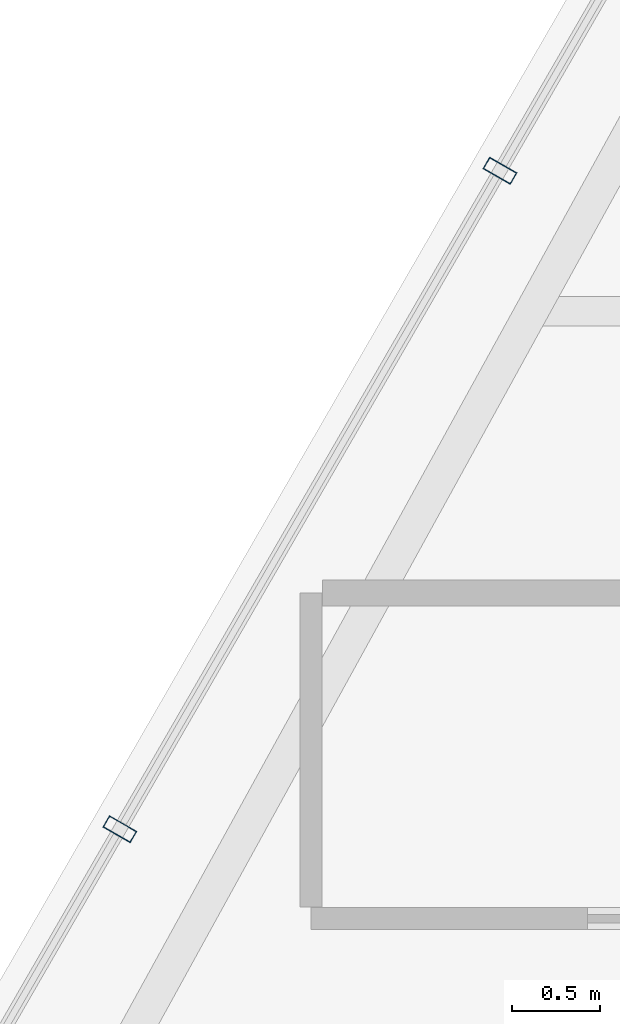
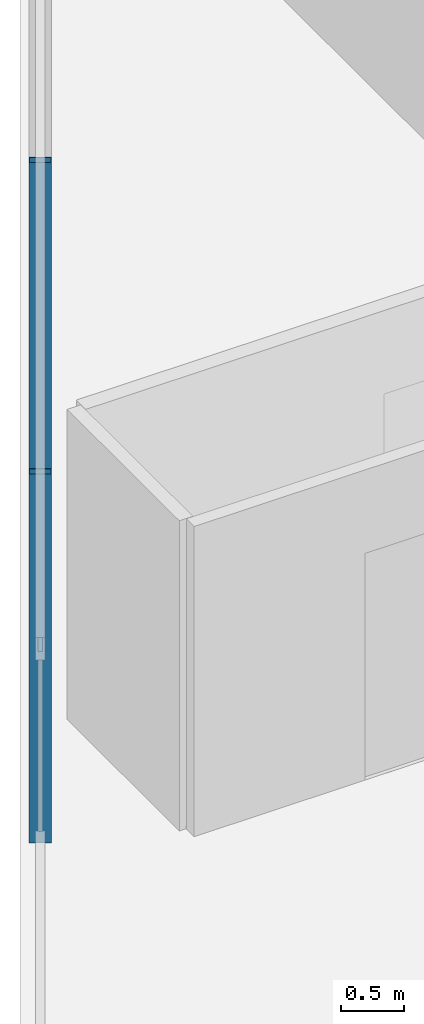
# One storey, part 4 of 30: 2 members, 1 element without a shape of its own.
"""IFC4 building model written with IfcOpenShell, lengths in metres."""

from ifc_helpers import new_model, si_unit, direction, frame, origin, origin_2d, place, context, subcontext, project, spatial, hollow_rectangle, extrude, material, layer, layer_set, material_profile, profile_set, type_object, element, aggregate, save


model = new_model("IFC4")

# Units and contexts
model_context = context("Model", 3, precision=1e-05, world=origin(), true_north=direction((0.0, 1.0)))
body_context = subcontext(model_context, "Body", "Model", "MODEL_VIEW")
ifc_project = project(units=[si_unit("LENGTHUNIT", "METRE"), si_unit("AREAUNIT", "SQUARE_METRE"), si_unit("VOLUMEUNIT", "CUBIC_METRE"), si_unit("PLANEANGLEUNIT", "RADIAN"), si_unit("MASSUNIT", "GRAM", prefix="KILO")], contexts=[model_context])

# Site, building, storey
site_placement = place(None, origin())
site = spatial("IfcSite", under=ifc_project, at=site_placement, CompositionType="ELEMENT")
building_placement = place(site_placement, origin())
building = spatial("IfcBuilding", under=site, at=building_placement, Name="Ndaravel Arena Tower", CompositionType="ELEMENT")
storey_placement = place(building_placement, frame((0.0, 0.0, 225.60009765625)))
storey = spatial("IfcBuildingStorey", under=building, at=storey_placement, Name="L54", CompositionType="ELEMENT", Elevation=225.60009765625)

# Curtain wall, members
ifc_material_1 = material(Name="Aluminium", Category="aluminium")
ifc_layer = layer(ifc_material_1, 0.179931640625)
ifc_layer_set = layer_set([ifc_layer], Name="Aluminium")
curtain_wall_type = type_object("IfcCurtainWallType", Name="CW-SYS-03", PredefinedType="NOTDEFINED", material=ifc_layer_set)
curtain_wall_placement = place(storey_placement, origin())
curtain_wall = element("IfcCurtainWall", 1, at=curtain_wall_placement, inside=storey, type_object=curtain_wall_type, Name="L54 Faceted Crystal Curtain Wall CW-L54-E05", PredefinedType="NOTDEFINED")
ifc_material_2 = material(Name="Aluminium", Category="aluminium")
ifc_material_profile = material_profile(ifc_material_2, hollow_rectangle(XDim=0.074951171875, YDim=0.179931640625, WallThickness=0.00390625, at=origin_2d()), Name="CW MULLION 75x180x4")
ifc_profile_set = profile_set([ifc_material_profile], Name="Aluminium")
member_type = type_object("IfcMemberType", Name="MEM-CW-MUL180", PredefinedType="MULLION", material=ifc_profile_set)
member_1_placement = place(storey_placement, frame((22.9833984375, 19.398193359375, 0.0), z_axis=(0.0, 0.0, 1.0), x_axis=(-0.5, -0.866025403784, 0.0)))
member_1 = element("IfcMember", 2, at=member_1_placement, type_object=member_type, Name="CW-L54-E05 Mullion 07", PredefinedType="MULLION", context=body_context, shape_type="SweptSolid", body=[
    extrude(hollow_rectangle(XDim=0.074951171875, YDim=0.179931640625, WallThickness=0.00390625, at=origin_2d()), origin(), (0.0, 0.0, 1.0), 3.579833984375),
])
member_2_placement = place(storey_placement, frame((20.82421875, 15.658203125, 0.0), z_axis=(0.0, 0.0, 1.0), x_axis=(-0.5, -0.866025403784, 0.0)))
member_2 = element("IfcMember", 3, at=member_2_placement, type_object=member_type, Name="CW-L54-E05 Mullion 08", PredefinedType="MULLION", context=body_context, shape_type="SweptSolid", body=[
    extrude(hollow_rectangle(XDim=0.074951171875, YDim=0.179931640625, WallThickness=0.00390625, at=origin_2d()), origin(), (0.0, 0.0, 1.0), 3.579833984375),
])
aggregate(curtain_wall, [member_1, member_2])

save(model, "model.ifc")
